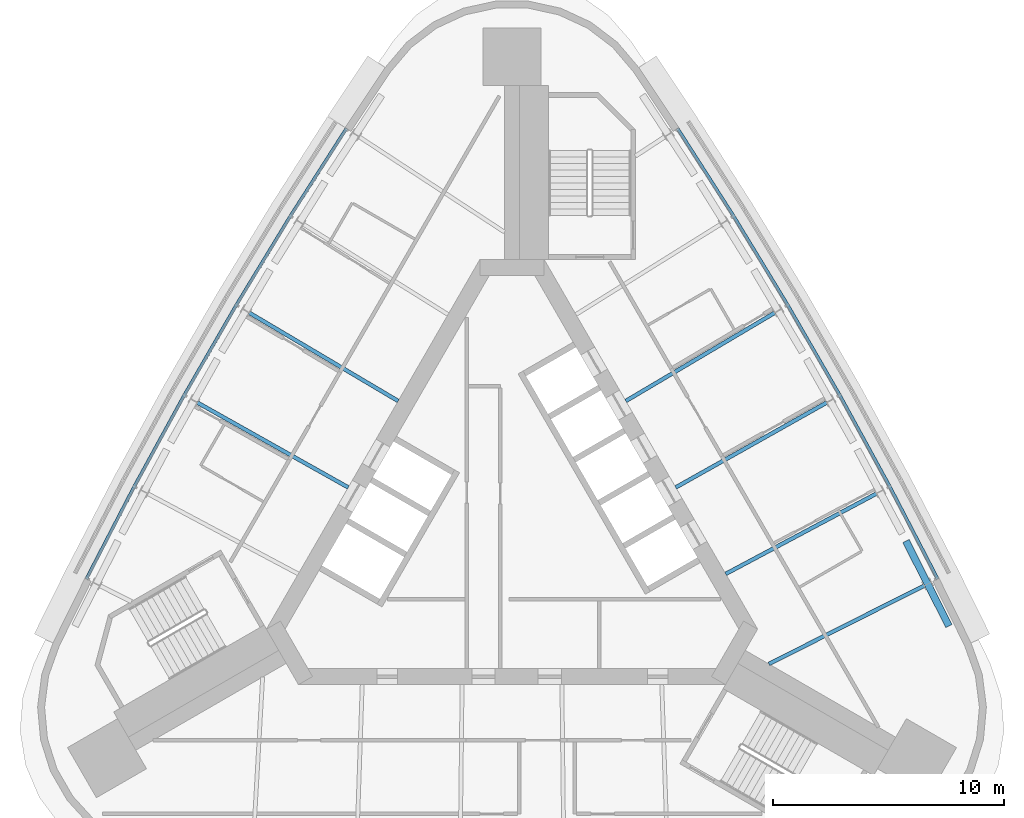
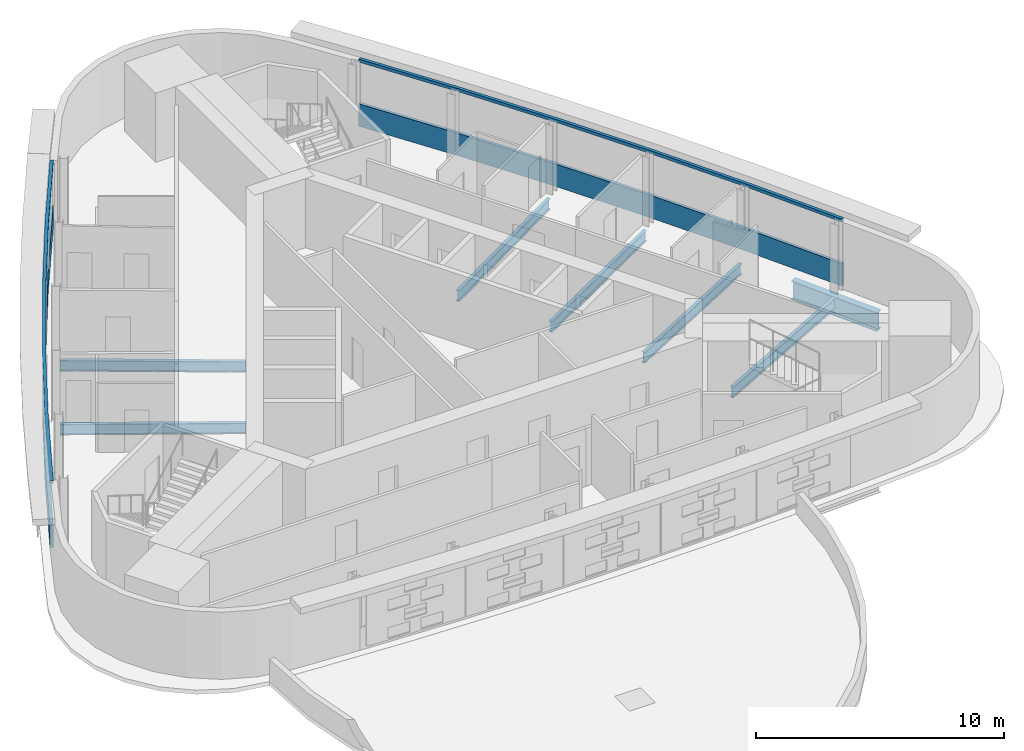
# One storey, part 3 of 9: 7 beams, 4 members, 2 elements without a shape of their own.
"""IFC4 building model written with IfcOpenShell, lengths in metres."""

import ifcopenshell
import ifcopenshell.guid

model = None  # the IFC model being written
_history = None  # IfcOwnerHistory: only IFC2X3 demands one
_inside = {}  # id of a spatial element -> (the spatial element, [elements in it])
_under = {}  # id of a project, library or spatial element -> (it, [spatial elements below it])
_declared = {}  # id of a project -> (the project, [libraries it declares])
_typed = {}  # id of a type object -> (the type object, [elements of that type])
_made_of = {}  # id of a material, layer set ... -> (it, [elements and type objects made of it])


def new_model(schema):
    """Start an empty IFC model of exactly this schema.

    Asked for "IFC4X3", IfcOpenShell would pick the latest addendum, in which some entities
    have other attributes; the version numbers below select the first issue.
    IFC2X3 requires an IfcOwnerHistory on every rooted entity: one is made here for all.
    """
    global model, _history
    if schema == "IFC4X3":
        model = ifcopenshell.file(schema_version=(4, 3, 0, 0))
    else:
        model = ifcopenshell.file(schema=schema)
    _inside.clear()
    _under.clear()
    _declared.clear()
    _typed.clear()
    _made_of.clear()
    _history = None
    if model.schema == "IFC2X3":
        org = make("IfcOrganization", Name="unknown")
        user = make(
            "IfcPersonAndOrganization",
            ThePerson=make("IfcPerson", FamilyName="unknown"),
            TheOrganization=org,
        )
        app = make(
            "IfcApplication",
            ApplicationDeveloper=org,
            Version="unknown",
            ApplicationFullName="unknown",
            ApplicationIdentifier="unknown",
        )
        _history = make(
            "IfcOwnerHistory",
            OwningUser=user,
            OwningApplication=app,
            ChangeAction="ADDED",
            CreationDate=0,
        )
    return model


def make(cls, **values):
    """One entity of the class cls with the attributes given. An attribute that is None is left unset."""
    return model.create_entity(
        cls, **{name: value for name, value in values.items() if value is not None}
    )


def rooted(cls, **values):
    """An entity with a GlobalId (a new one), such as an element, a storey or a relation."""
    return make(cls, GlobalId=ifcopenshell.guid.new(), OwnerHistory=_history, **values)


def si_unit(unit_type, name, prefix=None):
    """IfcSIUnit, for example si_unit("LENGTHUNIT", "METRE", prefix="MILLI")."""
    return make("IfcSIUnit", UnitType=unit_type, Prefix=prefix, Name=name)


def assignment(units):
    """IfcUnitAssignment: the units of a project."""
    return None if units is None else make("IfcUnitAssignment", Units=units)


def point(xyz):
    """IfcCartesianPoint."""
    return None if xyz is None else make("IfcCartesianPoint", Coordinates=xyz)


def direction(xyz):
    """IfcDirection."""
    return None if xyz is None else make("IfcDirection", DirectionRatios=xyz)


def frame(location, z_axis=None, x_axis=None):
    """IfcAxis2Placement3D, a coordinate frame: its origin and axes. An axis left out is left unset."""
    return make(
        "IfcAxis2Placement3D",
        Location=point(location),
        Axis=direction(z_axis),
        RefDirection=direction(x_axis),
    )


def frame_2d(location, x_axis=None):
    """IfcAxis2Placement2D, a coordinate frame in the plane: its origin and x axis."""
    return make(
        "IfcAxis2Placement2D", Location=point(location), RefDirection=direction(x_axis)
    )


def origin():
    """The frame at (0, 0, 0) with its axes left unset."""
    return frame((0.0, 0.0, 0.0))


def origin_2d():
    """The frame at (0, 0) in the plane with its x axis left unset."""
    return frame_2d((0.0, 0.0))


def place(relative_to, where):
    """IfcLocalPlacement: puts the frame where relative to a parent placement (None: the world)."""
    return make(
        "IfcLocalPlacement", PlacementRelTo=relative_to, RelativePlacement=where
    )


def context(
    kind, dimensions, precision=None, world=None, true_north=None, identifier=None
):
    """IfcGeometricRepresentationContext, for example the 3D "Model" context."""
    return make(
        "IfcGeometricRepresentationContext",
        ContextIdentifier=identifier,
        ContextType=kind,
        CoordinateSpaceDimension=dimensions,
        Precision=precision,
        WorldCoordinateSystem=world,
        TrueNorth=true_north,
    )


def subcontext(parent, identifier, kind, view, scale=None):
    """IfcGeometricRepresentationSubContext, for example "Body" below "Model"."""
    return make(
        "IfcGeometricRepresentationSubContext",
        ContextIdentifier=identifier,
        ContextType=kind,
        ParentContext=parent,
        TargetScale=scale,
        TargetView=view,
    )


def project(units=None, contexts=None):
    """IfcProject with its units and contexts."""
    return rooted(
        "IfcProject",
        Name="project",
        RepresentationContexts=contexts,
        UnitsInContext=assignment(units),
    )


def spatial(cls, under=None, at=None, **own):
    """A site, building, storey or space (cls), placed at a placement, below another one or the project."""
    s = rooted(cls, ObjectPlacement=at, **own)
    if under is not None:
        _under.setdefault(under.id(), (under, []))[1].append(s)
    return s


def polyline(points):
    """IfcPolyline through the points."""
    return make("IfcPolyline", Points=[point(p) for p in points])


def profile(cls, at=None, kind="AREA", **sizes):
    """A parametric profile (cls). Its sizes go by their IFC names, for example OverallWidth=200.0."""
    return make(cls, ProfileType=kind, Position=at, **sizes)


def i_section(**sizes):
    """IfcIShapeProfileDef."""
    return profile("IfcIShapeProfileDef", **sizes)


def outline(outer, holes=None, kind="AREA"):
    """IfcArbitraryClosedProfileDef: a profile drawn as a closed curve; with holes, ...WithVoids."""
    if holes is None:
        return make("IfcArbitraryClosedProfileDef", ProfileType=kind, OuterCurve=outer)
    return make(
        "IfcArbitraryProfileDefWithVoids",
        ProfileType=kind,
        OuterCurve=outer,
        InnerCurves=holes,
    )


def extrude(swept, where, along, depth):
    """IfcExtrudedAreaSolid: the profile swept, set in the frame where, extruded along a direction by depth."""
    return make(
        "IfcExtrudedAreaSolid",
        SweptArea=swept,
        Position=where,
        ExtrudedDirection=direction(along),
        Depth=depth,
    )


def shape(context_of_items, identifier, shape_type, items):
    """IfcShapeRepresentation: the items that make up one representation, for example the "Body"."""
    return make(
        "IfcShapeRepresentation",
        ContextOfItems=context_of_items,
        RepresentationIdentifier=identifier,
        RepresentationType=shape_type,
        Items=items,
    )


def material(Name=None, Category=None):
    """IfcMaterial."""
    return make("IfcMaterial", Name=Name, Category=Category)


def material_profile(
    of_material, cross_section, Name=None, Category=None, Priority=None
):
    """IfcMaterialProfile: a cross section and its material."""
    return make(
        "IfcMaterialProfile",
        Name=Name,
        Material=of_material,
        Profile=cross_section,
        Priority=Priority,
        Category=Category,
    )


def profile_set(profiles, Name=None, composite=None):
    """IfcMaterialProfileSet."""
    return make(
        "IfcMaterialProfileSet",
        Name=Name,
        MaterialProfiles=profiles,
        CompositeProfile=composite,
    )


def made_of(thing, what):
    """Note that an element or type object is made of a material, layer set ...; save() writes the relation."""
    if what is not None:
        _made_of.setdefault(what.id(), (what, []))[1].append(thing)
    return thing


def type_object(cls, material=None, **own):
    """A type object (cls), such as IfcWallType, which elements share."""
    return made_of(rooted(cls, **own), material)


def element(
    cls,
    number,
    at=None,
    inside=None,
    cuts=None,
    type_object=None,
    material=None,
    context=None,
    identifier="Body",
    shape_type=None,
    held_by="IfcProductDefinitionShape",
    body=None,
    shapes=None,
    **own,
):
    """One element of the class cls, such as IfcWall. Its Tag is "e" and its number.

    at: its placement. inside: the storey or other place that contains it. cuts: it is an
    opening in that element (IfcRelVoidsElement). A single representation is given by context,
    identifier, shape_type and body (its items); several are given by shapes. held_by: the class
    of the entity that holds the representations. save() writes the other relations.
    """
    e = rooted(cls, Tag="e%d" % number, ObjectPlacement=at, **own)
    if body is not None:
        shapes = [shape(context, identifier, shape_type, body)]
    if shapes is not None:
        e.Representation = make(held_by, Representations=shapes)
    if inside is not None:
        _inside.setdefault(inside.id(), (inside, []))[1].append(e)
    if cuts is not None:
        rooted(
            "IfcRelVoidsElement", RelatingBuildingElement=cuts, RelatedOpeningElement=e
        )
    if type_object is not None:
        _typed.setdefault(type_object.id(), (type_object, []))[1].append(e)
    return made_of(e, material)


def aggregate(whole, parts):
    """IfcRelAggregates: a whole, such as a stair, and the parts it consists of."""
    return rooted("IfcRelAggregates", RelatingObject=whole, RelatedObjects=parts)


def save(model, path):
    """Write the relations noted so far, then the file.

    IfcRelAggregates (storeys below a building ...), IfcRelContainedInSpatialStructure (elements
    in a storey), IfcRelDefinesByType, IfcRelAssociatesMaterial and IfcRelDeclares: one each for
    every whole, place, type object, material and project.
    """
    for whole, parts in _under.values():
        aggregate(whole, parts)
    for where, things in _inside.values():
        rooted(
            "IfcRelContainedInSpatialStructure",
            RelatedElements=things,
            RelatingStructure=where,
        )
    for kind, things in _typed.values():
        rooted("IfcRelDefinesByType", RelatedObjects=things, RelatingType=kind)
    for what, things in _made_of.values():
        rooted("IfcRelAssociatesMaterial", RelatedObjects=things, RelatingMaterial=what)
    for by, libraries in _declared.values():
        rooted("IfcRelDeclares", RelatingContext=by, RelatedDefinitions=libraries)
    model.write(path)


model = new_model("IFC4")

# Units and contexts
model_context = context("Model", 3, precision=1e-05, world=origin(), true_north=direction((0.0, 1.0)))
body_context = subcontext(model_context, "Body", "Model", "MODEL_VIEW")
ifc_project = project(units=[si_unit("LENGTHUNIT", "METRE"), si_unit("AREAUNIT", "SQUARE_METRE"), si_unit("VOLUMEUNIT", "CUBIC_METRE"), si_unit("PLANEANGLEUNIT", "RADIAN"), si_unit("MASSUNIT", "GRAM", prefix="KILO")], contexts=[model_context])

# Site, building, storey
site_placement = place(None, origin())
site = spatial("IfcSite", under=ifc_project, at=site_placement, CompositionType="ELEMENT")
building_placement = place(site_placement, origin())
building = spatial("IfcBuilding", under=site, at=building_placement, Name="Noor Cloister Tower", CompositionType="ELEMENT")
storey_placement = place(building_placement, frame((0.0, 0.0, 229.199951171875)))
storey = spatial("IfcBuildingStorey", under=building, at=storey_placement, Name="L59", CompositionType="ELEMENT", Elevation=229.199951171875)

# Curtain wall, member
ifc_material_1 = material(Name="Aluminium 6063-T6 anodised", Category="aluminium")
curtain_wall_type = type_object("IfcCurtainWallType", Name="Ribbon curtain wall, upper tower CW5", PredefinedType="NOTDEFINED", material=ifc_material_1)
curtain_wall_1_placement = place(storey_placement, origin())
curtain_wall_1 = element("IfcCurtainWall", 1, at=curtain_wall_1_placement, inside=storey, type_object=curtain_wall_type, Name="CW5 L59 NW run 1", PredefinedType="NOTDEFINED")
ifc_material_2 = material(Name="Aluminium 6063-T6 anodised", Category="aluminium")
member_type_1 = type_object("IfcMemberType", Name="Head transom CW5 150", PredefinedType="USERDEFINED", material=ifc_material_2)
member_1_placement = place(storey_placement, frame((0.0, 0.0, 3.150146484375)))
member_1 = element("IfcMember", 2, at=member_1_placement, type_object=member_type_1, Name="CW5 head transom", ObjectType="TRANSOM", PredefinedType="USERDEFINED", context=body_context, shape_type="SweptSolid", body=[
    extrude(outline(polyline([(-7.212646484375, 17.147705078125), (-9.63671875, 13.3564453125), (-11.974365234375, 9.511474609375), (-14.224365234375, 5.6142578125), (-16.385498046875, 1.66748046875), (-18.45654296875, -2.32763671875), (-18.332275390625, -2.39208984375), (-16.26171875, 1.6015625), (-14.102294921875, 5.545654296875), (-11.853759765625, 9.43994140625), (-9.517822265625, 13.282470703125), (-7.0947265625, 17.072265625), (-7.212646484375, 17.147705078125)])), origin(), (0.0, 0.0, 1.0), 0.14990234375),
])

curtain_wall_2_placement = place(storey_placement, origin())
curtain_wall_2 = element("IfcCurtainWall", 3, at=curtain_wall_2_placement, inside=storey, type_object=curtain_wall_type, Name="CW5 L59 NE run 3", PredefinedType="NOTDEFINED")
member_2_placement = place(storey_placement, frame((0.0, 0.0, 3.150146484375)))
member_2 = element("IfcMember", 4, at=member_2_placement, type_object=member_type_1, Name="CW5 head transom", ObjectType="TRANSOM", PredefinedType="USERDEFINED", context=body_context, shape_type="SweptSolid", body=[
    extrude(outline(polyline([(18.45654296875, -2.32763671875), (16.385498046875, 1.66748046875), (14.224365234375, 5.6142578125), (11.974365234375, 9.511474609375), (9.63671875, 13.3564453125), (7.212646484375, 17.147705078125), (7.0947265625, 17.072265625), (9.517822265625, 13.282470703125), (11.853759765625, 9.43994140625), (14.102294921875, 5.545654296875), (16.26171875, 1.6015625), (18.332275390625, -2.39208984375), (18.45654296875, -2.32763671875)])), origin(), (0.0, 0.0, 1.0), 0.14990234375),
])

# Beams
ifc_material_3 = material(Name="Steel ASTM A992 Gr 50", Category="steel")
ifc_material_profile_1 = material_profile(ifc_material_3, i_section(OverallWidth=0.166015625, OverallDepth=0.528076171875, WebThickness=0.009765625, FlangeThickness=0.013671875, FilletRadius=0.0126953125, at=origin_2d()), Name="W530x74")
ifc_profile_set_1 = profile_set([ifc_material_profile_1], Name="Steel ASTM A992 Gr 50")
beam_type_1 = type_object("IfcBeamType", Name="Radial beam W530x74", PredefinedType="BEAM", material=ifc_profile_set_1)
for number, where, z_axis, x_axis, name in (
    (5, (-11.369873046875, 9.1533203125, -0.4638671875), (0.860307934616, -0.509774712629, 0.0), (0.509774712629, 0.860307934616, 0.0), "Radial beam NW 03 L59"),
    (6, (-13.612060546875, 5.27001953125, -0.4638671875), (0.871632071462, -0.49016072058, 0.0), (0.49016072058, 0.871632071462, 0.0), "Radial beam NW 04 L59"),
):
    element("IfcBeam", number, at=place(storey_placement, frame(where, z_axis=z_axis, x_axis=x_axis)), inside=storey, type_object=beam_type_1, Name=name, PredefinedType="BEAM", context=body_context, shape_type="SweptSolid", body=[
        extrude(i_section(OverallWidth=0.166015625, OverallDepth=0.528076171875, WebThickness=0.009765625, FlangeThickness=0.013671875, FilletRadius=0.0126953125, at=origin_2d()), origin(), (0.0, 0.0, 1.0), 7.49560546875),
    ])
beam_1_placement = place(storey_placement, frame((17.829345703125, -2.643798828125, -0.4638671875), z_axis=(-0.892944437479, -0.450166893024, 0.0), x_axis=(0.450166893024, -0.892944437479, 0.0)))
element("IfcBeam", 7, at=beam_1_placement, inside=storey, type_object=beam_type_1, Name="Radial beam NE 01 L59", PredefinedType="BEAM", context=body_context, shape_type="SweptSolid", body=[
    extrude(i_section(OverallWidth=0.166015625, OverallDepth=0.528076171875, WebThickness=0.009765625, FlangeThickness=0.013671875, FilletRadius=0.0126953125, at=origin_2d()), origin(), (0.0, 0.0, 1.0), 7.532958984375),
])
beam_2_placement = place(storey_placement, frame((15.765380859375, 1.3369140625, -0.4638671875), z_axis=(-0.88251550209, -0.470283306712, 0.0), x_axis=(0.470283306712, -0.88251550209, 0.0)))
element("IfcBeam", 8, at=beam_2_placement, inside=storey, type_object=beam_type_1, Name="Radial beam NE 02 L59", PredefinedType="BEAM", context=body_context, shape_type="SweptSolid", body=[
    extrude(i_section(OverallWidth=0.166015625, OverallDepth=0.528076171875, WebThickness=0.009765625, FlangeThickness=0.013671875, FilletRadius=0.0126953125, at=origin_2d()), origin(), (0.0, 0.0, 1.0), 7.397705078125),
])
for number, where, z_axis, x_axis, name in (
    (9, (13.612060546875, 5.27001953125, -0.4638671875), (-0.871632071462, -0.49016072058, 0.0), (0.49016072058, -0.871632071462, 0.0), "Radial beam NE 03 L59"),
    (10, (11.369873046875, 9.1533203125, -0.4638671875), (-0.860307934616, -0.509774712629, 0.0), (0.509774712629, -0.860307934616, 0.0), "Radial beam NE 04 L59"),
):
    element("IfcBeam", number, at=place(storey_placement, frame(where, z_axis=z_axis, x_axis=x_axis)), inside=storey, type_object=beam_type_1, Name=name, PredefinedType="BEAM", context=body_context, shape_type="SweptSolid", body=[
        extrude(i_section(OverallWidth=0.166015625, OverallDepth=0.528076171875, WebThickness=0.009765625, FlangeThickness=0.013671875, FilletRadius=0.0126953125, at=origin_2d()), origin(), (0.0, 0.0, 1.0), 7.49560546875),
    ])

# Member
ifc_material_4 = material(Name="Aluminium 6063-T6 anodised", Category="aluminium")
member_type_2 = type_object("IfcMemberType", Name="Sill transom CW5 1100", PredefinedType="USERDEFINED", material=ifc_material_4)
member_3_placement = place(storey_placement, origin())
member_3 = element("IfcMember", 11, at=member_3_placement, type_object=member_type_2, Name="CW5 sill transom", ObjectType="TRANSOM", PredefinedType="USERDEFINED", context=body_context, shape_type="SweptSolid", body=[
    extrude(outline(polyline([(-7.212646484375, 17.147705078125), (-9.63671875, 13.3564453125), (-11.974365234375, 9.511474609375), (-14.224365234375, 5.6142578125), (-16.385498046875, 1.66748046875), (-18.45654296875, -2.32763671875), (-18.332275390625, -2.39208984375), (-16.26171875, 1.6015625), (-14.102294921875, 5.545654296875), (-11.853759765625, 9.43994140625), (-9.517822265625, 13.282470703125), (-7.0947265625, 17.072265625), (-7.212646484375, 17.147705078125)])), origin(), (0.0, 0.0, 1.0), 1.10009765625),
])

aggregate(curtain_wall_1, [member_3, member_1])

member_4_placement = place(storey_placement, origin())
member_4 = element("IfcMember", 12, at=member_4_placement, type_object=member_type_2, Name="CW5 sill transom", ObjectType="TRANSOM", PredefinedType="USERDEFINED", context=body_context, shape_type="SweptSolid", body=[
    extrude(outline(polyline([(18.45654296875, -2.32763671875), (16.385498046875, 1.66748046875), (14.224365234375, 5.6142578125), (11.974365234375, 9.511474609375), (9.63671875, 13.3564453125), (7.212646484375, 17.147705078125), (7.0947265625, 17.072265625), (9.517822265625, 13.282470703125), (11.853759765625, 9.43994140625), (14.102294921875, 5.545654296875), (16.26171875, 1.6015625), (18.332275390625, -2.39208984375), (18.45654296875, -2.32763671875)])), origin(), (0.0, 0.0, 1.0), 1.10009765625),
])

aggregate(curtain_wall_2, [member_4, member_2])

# Beam
ifc_material_5 = material(Name="Steel ASTM A992 Gr 50", Category="steel")
ifc_material_profile_2 = material_profile(ifc_material_5, i_section(OverallWidth=0.304931640625, OverallDepth=0.9189453125, WebThickness=0.017333984375, FlangeThickness=0.02783203125, FilletRadius=0.01904296875, at=origin_2d()), Name="W920x253")
ifc_profile_set_2 = profile_set([ifc_material_profile_2], Name="Steel ASTM A992 Gr 50")
beam_type_2 = type_object("IfcBeamType", Name="Transfer girder W920x253", PredefinedType="BEAM", material=ifc_profile_set_2)
beam_3_placement = place(storey_placement, frame((18.885498046875, -4.394287109375, -0.659423828125), z_axis=(-0.451338334534, 0.892352905402, 0.0), x_axis=(-0.892352905402, -0.451338334534, 0.0)))
element("IfcBeam", 13, at=beam_3_placement, inside=storey, type_object=beam_type_2, Name="Transfer girder NE 01 L59", PredefinedType="BEAM", context=body_context, shape_type="SweptSolid", body=[
    extrude(i_section(OverallWidth=0.304931640625, OverallDepth=0.9189453125, WebThickness=0.017333984375, FlangeThickness=0.02783203125, FilletRadius=0.01904296875, at=origin_2d()), origin(), (0.0, 0.0, 1.0), 4.11474609375),
])

save(model, "model.ifc")
